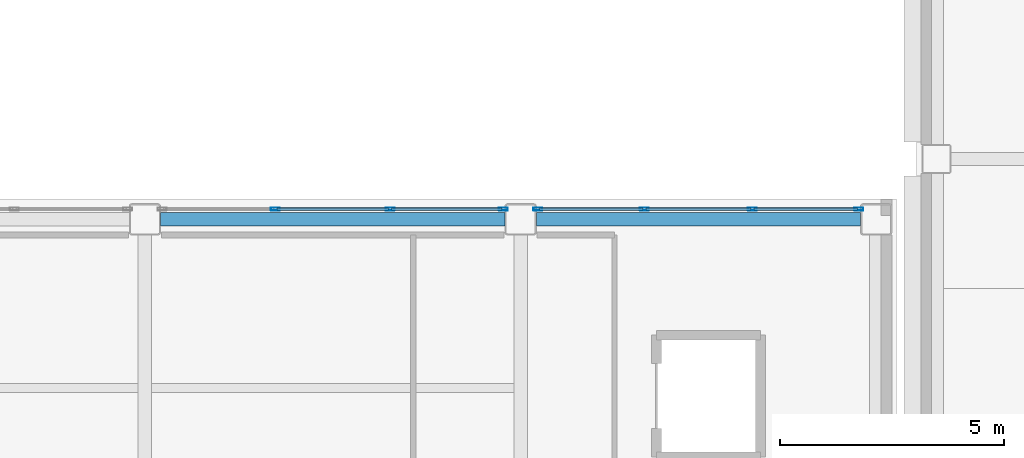
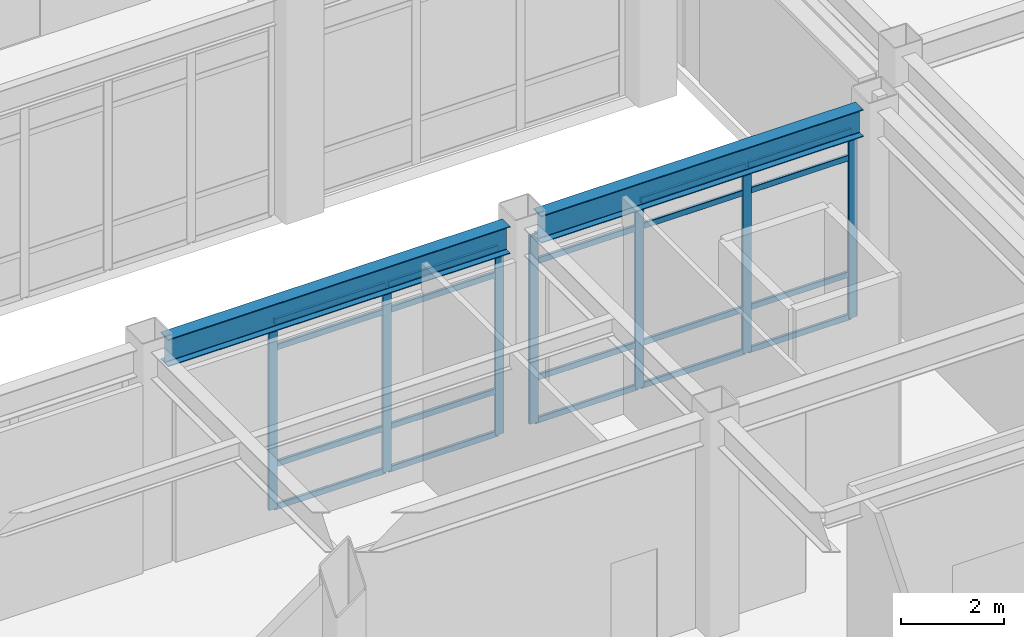
# One storey, part 29 of 165: 27 members, 2 beams, 2 elements without a shape of their own.
"""IFC4 building model written with IfcOpenShell, lengths in metres."""

from ifc_helpers import new_model, si_unit, direction, frame, origin, origin_2d, place, context, subcontext, project, spatial, hollow_rectangle, i_section, extrude, material, layer, layer_set, material_profile, profile_set, type_object, element, aggregate, save


model = new_model("IFC4")

# Units and contexts
model_context = context("Model", 3, precision=1e-05, world=origin(), true_north=direction((0.0, 1.0)))
body_context = subcontext(model_context, "Body", "Model", "MODEL_VIEW")
ifc_project = project(units=[si_unit("LENGTHUNIT", "METRE"), si_unit("AREAUNIT", "SQUARE_METRE"), si_unit("VOLUMEUNIT", "CUBIC_METRE"), si_unit("PLANEANGLEUNIT", "RADIAN"), si_unit("MASSUNIT", "GRAM", prefix="KILO")], contexts=[model_context])

# Site, building, storey
site_placement = place(None, origin())
site = spatial("IfcSite", under=ifc_project, at=site_placement, CompositionType="ELEMENT")
building_placement = place(site_placement, origin())
building = spatial("IfcBuilding", under=site, at=building_placement, Name="Kazehara Bluff Congress Hotel", CompositionType="ELEMENT")
storey_placement = place(building_placement, origin())
storey = spatial("IfcBuildingStorey", under=building, at=storey_placement, Name="L00", CompositionType="ELEMENT", Elevation=0.0)

# Curtain wall, members
ifc_material_1 = material(Name="Anodised aluminium", Category="aluminium")
ifc_layer_1 = layer(ifc_material_1, 0.159912109375)
ifc_layer_set_1 = layer_set([ifc_layer_1], Name="Anodised aluminium")
curtain_wall_type_1 = type_object("IfcCurtainWallType", Name="TP-CW-26", PredefinedType="NOTDEFINED", material=ifc_layer_set_1)
curtain_wall_1_placement = place(storey_placement, origin())
curtain_wall_1 = element("IfcCurtainWall", 1, at=curtain_wall_1_placement, inside=storey, type_object=curtain_wall_type_1, Name="L00 curtain wall CW-26 CW-ENC-V2-L00-4620-3978", PredefinedType="NOTDEFINED")
ifc_material_2 = material(Name="Anodised aluminium", Category="aluminium")
ifc_material_profile_1 = material_profile(ifc_material_2, hollow_rectangle(XDim=0.070068359375, YDim=0.199951171875, WallThickness=0.0048828125, InnerFilletRadius=0.0048828125, OuterFilletRadius=0.010009765625, at=origin_2d()))
ifc_profile_set_1 = profile_set([ifc_material_profile_1], Name="Anodised aluminium")
member_type_1 = type_object("IfcMemberType", Name="TP-CWM-03", PredefinedType="MULLION", material=ifc_profile_set_1)
member_1_placement = place(storey_placement, frame((44.916748046875, 39.780029296875, 0.0), z_axis=(0.0, 0.0, 1.0), x_axis=(0.0, 1.0, 0.0)))
member_1 = element("IfcMember", 2, at=member_1_placement, type_object=member_type_1, Name="CW-26 mullion 2", PredefinedType="MULLION", context=body_context, shape_type="SweptSolid", body=[
    extrude(hollow_rectangle(XDim=0.070068359375, YDim=0.199951171875, WallThickness=0.0048828125, InnerFilletRadius=0.0048828125, OuterFilletRadius=0.010009765625, at=origin_2d()), origin(), (0.0, 0.0, 1.0), 4.47509765625),
])
member_2_placement = place(storey_placement, frame((47.4833984375, 39.780029296875, 0.0), z_axis=(0.0, 0.0, 1.0), x_axis=(0.0, 1.0, 0.0)))
member_2 = element("IfcMember", 3, at=member_2_placement, type_object=member_type_1, Name="CW-26 mullion 3", PredefinedType="MULLION", context=body_context, shape_type="SweptSolid", body=[
    extrude(hollow_rectangle(XDim=0.070068359375, YDim=0.199951171875, WallThickness=0.0048828125, InnerFilletRadius=0.0048828125, OuterFilletRadius=0.010009765625, at=origin_2d()), origin(), (0.0, 0.0, 1.0), 4.47509765625),
])
member_3_placement = place(storey_placement, frame((50.014892578125, 39.780029296875, 0.0), z_axis=(0.0, 0.0, 1.0), x_axis=(0.0, 1.0, 0.0)))
member_3 = element("IfcMember", 4, at=member_3_placement, type_object=member_type_1, Name="CW-26 mullion 4", PredefinedType="MULLION", context=body_context, shape_type="SweptSolid", body=[
    extrude(hollow_rectangle(XDim=0.070068359375, YDim=0.199951171875, WallThickness=0.0048828125, InnerFilletRadius=0.0048828125, OuterFilletRadius=0.010009765625, at=origin_2d()), origin(), (0.0, 0.0, 1.0), 4.47509765625),
])

ifc_material_3 = material(Name="Anodised aluminium", Category="aluminium")
ifc_layer_2 = layer(ifc_material_3, 0.159912109375)
ifc_layer_set_2 = layer_set([ifc_layer_2], Name="Anodised aluminium")
curtain_wall_type_2 = type_object("IfcCurtainWallType", Name="TP-CW-77", PredefinedType="NOTDEFINED", material=ifc_layer_set_2)
curtain_wall_2_placement = place(storey_placement, origin())
curtain_wall_2 = element("IfcCurtainWall", 5, at=curtain_wall_2_placement, inside=storey, type_object=curtain_wall_type_2, Name="L00 curtain wall CW-77 CW-ENC-V2-L00-5438-3978", PredefinedType="NOTDEFINED")
member_4_placement = place(storey_placement, frame((50.784912109375, 39.780029296875, 0.0), z_axis=(0.0, 0.0, 1.0), x_axis=(0.0, 1.0, 0.0)))
member_4 = element("IfcMember", 6, at=member_4_placement, type_object=member_type_1, Name="CW-77 mullion 1", PredefinedType="MULLION", context=body_context, shape_type="SweptSolid", body=[
    extrude(hollow_rectangle(XDim=0.070068359375, YDim=0.199951171875, WallThickness=0.0048828125, InnerFilletRadius=0.0048828125, OuterFilletRadius=0.010009765625, at=origin_2d()), origin(), (0.0, 0.0, 1.0), 4.47509765625),
])
member_5_placement = place(storey_placement, frame((53.166748046875, 39.780029296875, 0.0), z_axis=(0.0, 0.0, 1.0), x_axis=(0.0, 1.0, 0.0)))
member_5 = element("IfcMember", 7, at=member_5_placement, type_object=member_type_1, Name="CW-77 mullion 2", PredefinedType="MULLION", context=body_context, shape_type="SweptSolid", body=[
    extrude(hollow_rectangle(XDim=0.070068359375, YDim=0.199951171875, WallThickness=0.0048828125, InnerFilletRadius=0.0048828125, OuterFilletRadius=0.010009765625, at=origin_2d()), origin(), (0.0, 0.0, 1.0), 4.47509765625),
])
member_6_placement = place(storey_placement, frame((55.583251953125, 39.780029296875, 0.0), z_axis=(0.0, 0.0, 1.0), x_axis=(0.0, 1.0, 0.0)))
member_6 = element("IfcMember", 8, at=member_6_placement, type_object=member_type_1, Name="CW-77 mullion 3", PredefinedType="MULLION", context=body_context, shape_type="SweptSolid", body=[
    extrude(hollow_rectangle(XDim=0.070068359375, YDim=0.199951171875, WallThickness=0.0048828125, InnerFilletRadius=0.0048828125, OuterFilletRadius=0.010009765625, at=origin_2d()), origin(), (0.0, 0.0, 1.0), 4.47509765625),
])
member_7_placement = place(storey_placement, frame((57.965087890625, 39.780029296875, 0.0), z_axis=(0.0, 0.0, 1.0), x_axis=(0.0, 1.0, 0.0)))
member_7 = element("IfcMember", 9, at=member_7_placement, type_object=member_type_1, Name="CW-77 mullion 4", PredefinedType="MULLION", context=body_context, shape_type="SweptSolid", body=[
    extrude(hollow_rectangle(XDim=0.070068359375, YDim=0.199951171875, WallThickness=0.0048828125, InnerFilletRadius=0.0048828125, OuterFilletRadius=0.010009765625, at=origin_2d()), origin(), (0.0, 0.0, 1.0), 4.47509765625),
])

# Member
ifc_material_4 = material(Name="Anodised aluminium", Category="aluminium")
ifc_material_profile_2 = material_profile(ifc_material_4, hollow_rectangle(XDim=0.06494140625, YDim=0.139892578125, WallThickness=0.00390625, InnerFilletRadius=0.00390625, OuterFilletRadius=0.008056640625, at=origin_2d()))
ifc_profile_set_2 = profile_set([ifc_material_profile_2], Name="Anodised aluminium")
member_type_2 = type_object("IfcMemberType", Name="TP-CWT-02", PredefinedType="USERDEFINED", material=ifc_profile_set_2)
member_8_placement = place(storey_placement, frame((44.95166015625, 39.780029296875, 0.032470703125), z_axis=(1.0, 0.0, 0.0), x_axis=(0.0, 1.0, 0.0)))
member_8 = element("IfcMember", 10, at=member_8_placement, type_object=member_type_2, Name="CW-26 transom 2.1", ObjectType="TRANSOM", PredefinedType="USERDEFINED", context=body_context, shape_type="SweptSolid", body=[
    extrude(hollow_rectangle(XDim=0.06494140625, YDim=0.139892578125, WallThickness=0.00390625, InnerFilletRadius=0.00390625, OuterFilletRadius=0.008056640625, at=origin_2d()), origin(), (0.0, 0.0, 1.0), 2.49658203125),
])

member_9_placement = place(storey_placement, frame((44.95166015625, 39.780029296875, 1.050048828125), z_axis=(1.0, 0.0, 0.0), x_axis=(0.0, 1.0, 0.0)))
member_9 = element("IfcMember", 11, at=member_9_placement, type_object=member_type_2, Name="CW-26 transom 2.2", ObjectType="TRANSOM", PredefinedType="USERDEFINED", context=body_context, shape_type="SweptSolid", body=[
    extrude(hollow_rectangle(XDim=0.06494140625, YDim=0.139892578125, WallThickness=0.00390625, InnerFilletRadius=0.00390625, OuterFilletRadius=0.008056640625, at=origin_2d()), origin(), (0.0, 0.0, 1.0), 2.49658203125),
])

member_10_placement = place(storey_placement, frame((44.95166015625, 39.780029296875, 3.824951171875), z_axis=(1.0, 0.0, 0.0), x_axis=(0.0, 1.0, 0.0)))
member_10 = element("IfcMember", 12, at=member_10_placement, type_object=member_type_2, Name="CW-26 transom 2.3", ObjectType="TRANSOM", PredefinedType="USERDEFINED", context=body_context, shape_type="SweptSolid", body=[
    extrude(hollow_rectangle(XDim=0.06494140625, YDim=0.139892578125, WallThickness=0.00390625, InnerFilletRadius=0.00390625, OuterFilletRadius=0.008056640625, at=origin_2d()), origin(), (0.0, 0.0, 1.0), 2.49658203125),
])

member_11_placement = place(storey_placement, frame((44.95166015625, 39.780029296875, 4.4423828125), z_axis=(1.0, 0.0, 0.0), x_axis=(0.0, 1.0, 0.0)))
member_11 = element("IfcMember", 13, at=member_11_placement, type_object=member_type_2, Name="CW-26 transom 2.4", ObjectType="TRANSOM", PredefinedType="USERDEFINED", context=body_context, shape_type="SweptSolid", body=[
    extrude(hollow_rectangle(XDim=0.06494140625, YDim=0.139892578125, WallThickness=0.00390625, InnerFilletRadius=0.00390625, OuterFilletRadius=0.008056640625, at=origin_2d()), origin(), (0.0, 0.0, 1.0), 2.49658203125),
])

member_12_placement = place(storey_placement, frame((47.518310546875, 39.780029296875, 0.032470703125), z_axis=(1.0, 0.0, 0.0), x_axis=(0.0, 1.0, 0.0)))
member_12 = element("IfcMember", 14, at=member_12_placement, type_object=member_type_2, Name="CW-26 transom 3.1", ObjectType="TRANSOM", PredefinedType="USERDEFINED", context=body_context, shape_type="SweptSolid", body=[
    extrude(hollow_rectangle(XDim=0.06494140625, YDim=0.139892578125, WallThickness=0.00390625, InnerFilletRadius=0.00390625, OuterFilletRadius=0.008056640625, at=origin_2d()), origin(), (0.0, 0.0, 1.0), 2.461669921875),
])

member_13_placement = place(storey_placement, frame((47.518310546875, 39.780029296875, 1.050048828125), z_axis=(1.0, 0.0, 0.0), x_axis=(0.0, 1.0, 0.0)))
member_13 = element("IfcMember", 15, at=member_13_placement, type_object=member_type_2, Name="CW-26 transom 3.2", ObjectType="TRANSOM", PredefinedType="USERDEFINED", context=body_context, shape_type="SweptSolid", body=[
    extrude(hollow_rectangle(XDim=0.06494140625, YDim=0.139892578125, WallThickness=0.00390625, InnerFilletRadius=0.00390625, OuterFilletRadius=0.008056640625, at=origin_2d()), origin(), (0.0, 0.0, 1.0), 2.461669921875),
])

member_14_placement = place(storey_placement, frame((47.518310546875, 39.780029296875, 3.824951171875), z_axis=(1.0, 0.0, 0.0), x_axis=(0.0, 1.0, 0.0)))
member_14 = element("IfcMember", 16, at=member_14_placement, type_object=member_type_2, Name="CW-26 transom 3.3", ObjectType="TRANSOM", PredefinedType="USERDEFINED", context=body_context, shape_type="SweptSolid", body=[
    extrude(hollow_rectangle(XDim=0.06494140625, YDim=0.139892578125, WallThickness=0.00390625, InnerFilletRadius=0.00390625, OuterFilletRadius=0.008056640625, at=origin_2d()), origin(), (0.0, 0.0, 1.0), 2.461669921875),
])

member_15_placement = place(storey_placement, frame((47.518310546875, 39.780029296875, 4.4423828125), z_axis=(1.0, 0.0, 0.0), x_axis=(0.0, 1.0, 0.0)))
member_15 = element("IfcMember", 17, at=member_15_placement, type_object=member_type_2, Name="CW-26 transom 3.4", ObjectType="TRANSOM", PredefinedType="USERDEFINED", context=body_context, shape_type="SweptSolid", body=[
    extrude(hollow_rectangle(XDim=0.06494140625, YDim=0.139892578125, WallThickness=0.00390625, InnerFilletRadius=0.00390625, OuterFilletRadius=0.008056640625, at=origin_2d()), origin(), (0.0, 0.0, 1.0), 2.461669921875),
])

aggregate(curtain_wall_1, [member_1, member_2, member_3, member_8, member_9, member_10, member_11, member_12, member_13, member_14, member_15])

member_16_placement = place(storey_placement, frame((50.820068359375, 39.780029296875, 0.032470703125), z_axis=(1.0, 0.0, 0.0), x_axis=(0.0, 1.0, 0.0)))
member_16 = element("IfcMember", 18, at=member_16_placement, type_object=member_type_2, Name="CW-77 transom 1.1", ObjectType="TRANSOM", PredefinedType="USERDEFINED", context=body_context, shape_type="SweptSolid", body=[
    extrude(hollow_rectangle(XDim=0.06494140625, YDim=0.139892578125, WallThickness=0.00390625, InnerFilletRadius=0.00390625, OuterFilletRadius=0.008056640625, at=origin_2d()), origin(), (0.0, 0.0, 1.0), 2.3115234375),
])

member_17_placement = place(storey_placement, frame((50.820068359375, 39.780029296875, 1.050048828125), z_axis=(1.0, 0.0, 0.0), x_axis=(0.0, 1.0, 0.0)))
member_17 = element("IfcMember", 19, at=member_17_placement, type_object=member_type_2, Name="CW-77 transom 1.2", ObjectType="TRANSOM", PredefinedType="USERDEFINED", context=body_context, shape_type="SweptSolid", body=[
    extrude(hollow_rectangle(XDim=0.06494140625, YDim=0.139892578125, WallThickness=0.00390625, InnerFilletRadius=0.00390625, OuterFilletRadius=0.008056640625, at=origin_2d()), origin(), (0.0, 0.0, 1.0), 2.3115234375),
])

member_18_placement = place(storey_placement, frame((50.820068359375, 39.780029296875, 3.824951171875), z_axis=(1.0, 0.0, 0.0), x_axis=(0.0, 1.0, 0.0)))
member_18 = element("IfcMember", 20, at=member_18_placement, type_object=member_type_2, Name="CW-77 transom 1.3", ObjectType="TRANSOM", PredefinedType="USERDEFINED", context=body_context, shape_type="SweptSolid", body=[
    extrude(hollow_rectangle(XDim=0.06494140625, YDim=0.139892578125, WallThickness=0.00390625, InnerFilletRadius=0.00390625, OuterFilletRadius=0.008056640625, at=origin_2d()), origin(), (0.0, 0.0, 1.0), 2.3115234375),
])

member_19_placement = place(storey_placement, frame((50.820068359375, 39.780029296875, 4.4423828125), z_axis=(1.0, 0.0, 0.0), x_axis=(0.0, 1.0, 0.0)))
member_19 = element("IfcMember", 21, at=member_19_placement, type_object=member_type_2, Name="CW-77 transom 1.4", ObjectType="TRANSOM", PredefinedType="USERDEFINED", context=body_context, shape_type="SweptSolid", body=[
    extrude(hollow_rectangle(XDim=0.06494140625, YDim=0.139892578125, WallThickness=0.00390625, InnerFilletRadius=0.00390625, OuterFilletRadius=0.008056640625, at=origin_2d()), origin(), (0.0, 0.0, 1.0), 2.3115234375),
])

member_20_placement = place(storey_placement, frame((53.20166015625, 39.780029296875, 0.032470703125), z_axis=(1.0, 0.0, 0.0), x_axis=(0.0, 1.0, 0.0)))
member_20 = element("IfcMember", 22, at=member_20_placement, type_object=member_type_2, Name="CW-77 transom 2.1", ObjectType="TRANSOM", PredefinedType="USERDEFINED", context=body_context, shape_type="SweptSolid", body=[
    extrude(hollow_rectangle(XDim=0.06494140625, YDim=0.139892578125, WallThickness=0.00390625, InnerFilletRadius=0.00390625, OuterFilletRadius=0.008056640625, at=origin_2d()), origin(), (0.0, 0.0, 1.0), 2.3466796875),
])

member_21_placement = place(storey_placement, frame((53.20166015625, 39.780029296875, 1.050048828125), z_axis=(1.0, 0.0, 0.0), x_axis=(0.0, 1.0, 0.0)))
member_21 = element("IfcMember", 23, at=member_21_placement, type_object=member_type_2, Name="CW-77 transom 2.2", ObjectType="TRANSOM", PredefinedType="USERDEFINED", context=body_context, shape_type="SweptSolid", body=[
    extrude(hollow_rectangle(XDim=0.06494140625, YDim=0.139892578125, WallThickness=0.00390625, InnerFilletRadius=0.00390625, OuterFilletRadius=0.008056640625, at=origin_2d()), origin(), (0.0, 0.0, 1.0), 2.3466796875),
])

member_22_placement = place(storey_placement, frame((53.20166015625, 39.780029296875, 3.824951171875), z_axis=(1.0, 0.0, 0.0), x_axis=(0.0, 1.0, 0.0)))
member_22 = element("IfcMember", 24, at=member_22_placement, type_object=member_type_2, Name="CW-77 transom 2.3", ObjectType="TRANSOM", PredefinedType="USERDEFINED", context=body_context, shape_type="SweptSolid", body=[
    extrude(hollow_rectangle(XDim=0.06494140625, YDim=0.139892578125, WallThickness=0.00390625, InnerFilletRadius=0.00390625, OuterFilletRadius=0.008056640625, at=origin_2d()), origin(), (0.0, 0.0, 1.0), 2.3466796875),
])

member_23_placement = place(storey_placement, frame((53.20166015625, 39.780029296875, 4.4423828125), z_axis=(1.0, 0.0, 0.0), x_axis=(0.0, 1.0, 0.0)))
member_23 = element("IfcMember", 25, at=member_23_placement, type_object=member_type_2, Name="CW-77 transom 2.4", ObjectType="TRANSOM", PredefinedType="USERDEFINED", context=body_context, shape_type="SweptSolid", body=[
    extrude(hollow_rectangle(XDim=0.06494140625, YDim=0.139892578125, WallThickness=0.00390625, InnerFilletRadius=0.00390625, OuterFilletRadius=0.008056640625, at=origin_2d()), origin(), (0.0, 0.0, 1.0), 2.3466796875),
])

member_24_placement = place(storey_placement, frame((55.618408203125, 39.780029296875, 0.032470703125), z_axis=(1.0, 0.0, 0.0), x_axis=(0.0, 1.0, 0.0)))
member_24 = element("IfcMember", 26, at=member_24_placement, type_object=member_type_2, Name="CW-77 transom 3.1", ObjectType="TRANSOM", PredefinedType="USERDEFINED", context=body_context, shape_type="SweptSolid", body=[
    extrude(hollow_rectangle(XDim=0.06494140625, YDim=0.139892578125, WallThickness=0.00390625, InnerFilletRadius=0.00390625, OuterFilletRadius=0.008056640625, at=origin_2d()), origin(), (0.0, 0.0, 1.0), 2.3115234375),
])

member_25_placement = place(storey_placement, frame((55.618408203125, 39.780029296875, 1.050048828125), z_axis=(1.0, 0.0, 0.0), x_axis=(0.0, 1.0, 0.0)))
member_25 = element("IfcMember", 27, at=member_25_placement, type_object=member_type_2, Name="CW-77 transom 3.2", ObjectType="TRANSOM", PredefinedType="USERDEFINED", context=body_context, shape_type="SweptSolid", body=[
    extrude(hollow_rectangle(XDim=0.06494140625, YDim=0.139892578125, WallThickness=0.00390625, InnerFilletRadius=0.00390625, OuterFilletRadius=0.008056640625, at=origin_2d()), origin(), (0.0, 0.0, 1.0), 2.3115234375),
])

member_26_placement = place(storey_placement, frame((55.618408203125, 39.780029296875, 3.824951171875), z_axis=(1.0, 0.0, 0.0), x_axis=(0.0, 1.0, 0.0)))
member_26 = element("IfcMember", 28, at=member_26_placement, type_object=member_type_2, Name="CW-77 transom 3.3", ObjectType="TRANSOM", PredefinedType="USERDEFINED", context=body_context, shape_type="SweptSolid", body=[
    extrude(hollow_rectangle(XDim=0.06494140625, YDim=0.139892578125, WallThickness=0.00390625, InnerFilletRadius=0.00390625, OuterFilletRadius=0.008056640625, at=origin_2d()), origin(), (0.0, 0.0, 1.0), 2.3115234375),
])

member_27_placement = place(storey_placement, frame((55.618408203125, 39.780029296875, 4.4423828125), z_axis=(1.0, 0.0, 0.0), x_axis=(0.0, 1.0, 0.0)))
member_27 = element("IfcMember", 29, at=member_27_placement, type_object=member_type_2, Name="CW-77 transom 3.4", ObjectType="TRANSOM", PredefinedType="USERDEFINED", context=body_context, shape_type="SweptSolid", body=[
    extrude(hollow_rectangle(XDim=0.06494140625, YDim=0.139892578125, WallThickness=0.00390625, InnerFilletRadius=0.00390625, OuterFilletRadius=0.008056640625, at=origin_2d()), origin(), (0.0, 0.0, 1.0), 2.3115234375),
])

aggregate(curtain_wall_2, [member_4, member_5, member_6, member_7, member_16, member_17, member_18, member_19, member_20, member_21, member_22, member_23, member_24, member_25, member_26, member_27])

# Beams
ifc_material_5 = material(Name="Steel SN490B", Category="steel")
ifc_material_profile_3 = material_profile(ifc_material_5, i_section(OverallWidth=0.300048828125, OverallDepth=0.64990234375, WebThickness=0.011962890625, FlangeThickness=0.02001953125, FilletRadius=0.012939453125, at=origin_2d()))
ifc_profile_set_3 = profile_set([ifc_material_profile_3], Name="Steel SN490B")
beam_type = type_object("IfcBeamType", Name="TP-G-03", PredefinedType="BEAM", material=ifc_profile_set_3)
beam_1_placement = place(storey_placement, frame((42.35009765625, 39.550048828125, 4.824951171875), z_axis=(1.0, 0.0, 0.0), x_axis=(0.0, 1.0, 0.0)))
element("IfcBeam", 30, at=beam_1_placement, inside=storey, type_object=beam_type, Name="L00 girder G-03 97", PredefinedType="BEAM", context=body_context, shape_type="SweptSolid", body=[
    extrude(i_section(OverallWidth=0.300048828125, OverallDepth=0.64990234375, WebThickness=0.011962890625, FlangeThickness=0.02001953125, FilletRadius=0.012939453125, at=origin_2d()), origin(), (0.0, 0.0, 1.0), 7.699951171875),
])
beam_2_placement = place(storey_placement, frame((50.75, 39.550048828125, 4.824951171875), z_axis=(1.0, 0.0, 0.0), x_axis=(0.0, 1.0, 0.0)))
element("IfcBeam", 31, at=beam_2_placement, inside=storey, type_object=beam_type, Name="L00 girder G-03 98", PredefinedType="BEAM", context=body_context, shape_type="SweptSolid", body=[
    extrude(i_section(OverallWidth=0.300048828125, OverallDepth=0.64990234375, WebThickness=0.011962890625, FlangeThickness=0.02001953125, FilletRadius=0.012939453125, at=origin_2d()), origin(), (0.0, 0.0, 1.0), 7.25),
])

save(model, "model.ifc")
